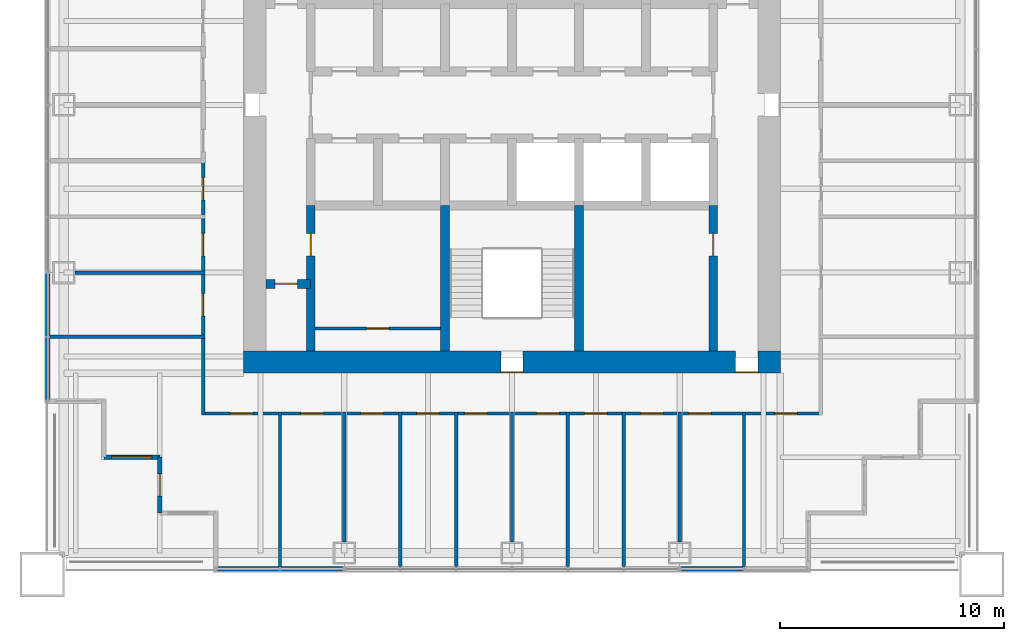
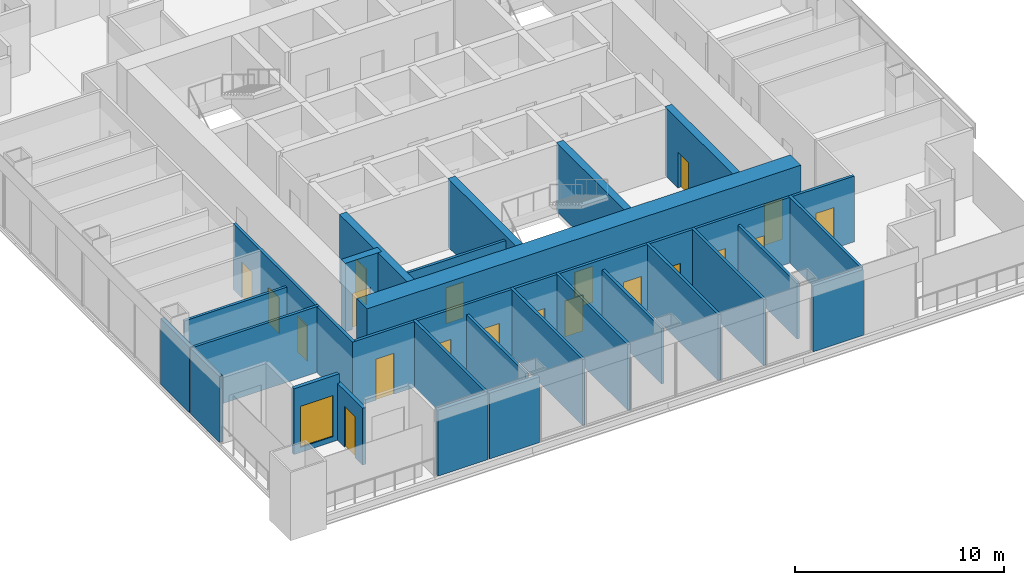
# One storey, part 9 of 14: 27 walls, 20 doors, 1 window, 21 openings.
"""IFC4 building model written with IfcOpenShell, lengths in metres."""

from ifc_helpers import new_model, si_unit, direction, frame, frame_2d, origin, place, context, subcontext, project, spatial, rectangle, extrude, material, layer, layer_set, type_object, element, fill, save


model = new_model("IFC4")

# Units and contexts
model_context = context("Model", 3, precision=1e-05, world=origin(), true_north=direction((0.0, 1.0)))
body_context = subcontext(model_context, "Body", "Model", "MODEL_VIEW")
ifc_project = project(units=[si_unit("LENGTHUNIT", "METRE"), si_unit("AREAUNIT", "SQUARE_METRE"), si_unit("VOLUMEUNIT", "CUBIC_METRE"), si_unit("PLANEANGLEUNIT", "RADIAN"), si_unit("MASSUNIT", "GRAM", prefix="KILO")], contexts=[model_context])

# Site, building, storey
site_placement = place(None, origin())
site = spatial("IfcSite", under=ifc_project, at=site_placement, CompositionType="ELEMENT")
building_placement = place(site_placement, origin())
building = spatial("IfcBuilding", under=site, at=building_placement, Name="Tarangal Relay Tower", CompositionType="ELEMENT")
storey_placement = place(building_placement, frame((0.0, 0.0, 303.89990234375)))
storey = spatial("IfcBuildingStorey", under=building, at=storey_placement, Name="L67", CompositionType="ELEMENT", Elevation=303.89990234375)

# Wall, opening, door
ifc_material_1 = material(Name="Concrete fc' 60 MPa", Category="concrete")
ifc_layer_1 = layer(ifc_material_1, 0.39990234375)
ifc_layer_set_1 = layer_set([ifc_layer_1], Name="Core inner wall 400")
wall_type_1 = type_object("IfcWallType", Name="Core inner wall 400", PredefinedType="SHEAR", material=ifc_layer_set_1)
wall_1_placement = place(storey_placement, frame((-11.0, -8.0, 0.0), z_axis=(0.0, 0.0, 1.0), x_axis=(1.0, 0.0, 0.0)))
wall_1 = element("IfcWall", 1, at=wall_1_placement, inside=storey, type_object=wall_type_1, Name="Core wall YM8 L67", PredefinedType="SHEAR", context=body_context, shape_type="SweptSolid", body=[
    extrude(rectangle(XDim=2.0, YDim=0.39990234375, at=frame_2d((1.0, 0.0))), origin(), (0.0, 0.0, 1.0), 4.0),
])
opening_1_placement = place(wall_1_placement, frame((0.39990234375, 0.0, 0.0)))
opening_1 = element("IfcOpeningElement", 2, at=opening_1_placement, cuts=wall_1, Name="Opening D1", PredefinedType="OPENING", context=body_context, shape_type="SweptSolid", body=[
    extrude(rectangle(XDim=1.0, YDim=2.10009765625, at=frame_2d((0.5, 1.050048828125))), frame((0.0, 0.2099609375, 0.0), z_axis=(0.0, -1.0, 0.0), x_axis=(1.0, 0.0, 0.0)), (0.0, 0.0, 1.0), 0.419921875),
])
ifc_material_2 = material(Name="Hardwood door", Category="wood")
door_type_1 = type_object("IfcDoorType", Name="WC door 1000 x 2100", OperationType="SINGLE_SWING_LEFT", PredefinedType="DOOR", material=ifc_material_2)
door_1_placement = place(opening_1_placement, origin())
door_1 = element("IfcDoor", 3, at=door_1_placement, inside=storey, type_object=door_type_1, Name="Accessible WC door L67", OperationType="SINGLE_SWING_LEFT", OverallHeight=2.10009765625, OverallWidth=1.0, PredefinedType="DOOR", context=body_context, shape_type="SweptSolid", body=[
    extrude(rectangle(XDim=1.0, YDim=2.10009765625, at=frame_2d((0.5, 1.050048828125))), frame((0.0, 0.02490234375, 0.0), z_axis=(0.0, -1.0, 0.0), x_axis=(1.0, 0.0, 0.0)), (0.0, 0.0, 1.0), 0.050048828125),
])
fill(opening_1, door_1)

wall_2_placement = place(storey_placement, frame((-9.0, -11.0, 0.0), z_axis=(0.0, 0.0, 1.0), x_axis=(0.0, 1.0, 0.0)))
wall_2 = element("IfcWall", 4, at=wall_2_placement, inside=storey, type_object=wall_type_1, Name="Core wall XM9W L67", PredefinedType="SHEAR", context=body_context, shape_type="SweptSolid", body=[
    extrude(rectangle(XDim=6.5, YDim=0.39990234375, at=frame_2d((3.25, 0.0))), origin(), (0.0, 0.0, 1.0), 4.0),
])
opening_2_placement = place(wall_2_placement, frame((4.25, 0.0, 0.0)))
opening_2 = element("IfcOpeningElement", 5, at=opening_2_placement, cuts=wall_2, Name="Opening D1", PredefinedType="OPENING", context=body_context, shape_type="SweptSolid", body=[
    extrude(rectangle(XDim=1.0, YDim=2.10009765625, at=frame_2d((0.5, 1.050048828125))), frame((0.0, 0.2099609375, 0.0), z_axis=(0.0, -1.0, 0.0), x_axis=(1.0, 0.0, 0.0)), (0.0, 0.0, 1.0), 0.419921875),
])
door_2_placement = place(opening_2_placement, origin())
door_2 = element("IfcDoor", 6, at=door_2_placement, inside=storey, type_object=door_type_1, Name="Male WC door L67", OperationType="SINGLE_SWING_LEFT", OverallHeight=2.10009765625, OverallWidth=1.0, PredefinedType="DOOR", context=body_context, shape_type="SweptSolid", body=[
    extrude(rectangle(XDim=1.0, YDim=2.10009765625, at=frame_2d((0.5, 1.050048828125))), frame((0.0, 0.02490234375, 0.0), z_axis=(0.0, -1.0, 0.0), x_axis=(1.0, 0.0, 0.0)), (0.0, 0.0, 1.0), 0.050048828125),
])
fill(opening_2, door_2)

wall_3_placement = place(storey_placement, frame((9.0, -11.0, 0.0), z_axis=(0.0, 0.0, 1.0), x_axis=(0.0, 1.0, 0.0)))
wall_3 = element("IfcWall", 7, at=wall_3_placement, inside=storey, type_object=wall_type_1, Name="Core wall X9W L67", PredefinedType="SHEAR", context=body_context, shape_type="SweptSolid", body=[
    extrude(rectangle(XDim=6.5, YDim=0.39990234375, at=frame_2d((3.25, 0.0))), origin(), (0.0, 0.0, 1.0), 4.0),
])
opening_3_placement = place(wall_3_placement, frame((4.25, 0.0, 0.0)))
opening_3 = element("IfcOpeningElement", 8, at=opening_3_placement, cuts=wall_3, Name="Opening D1", PredefinedType="OPENING", context=body_context, shape_type="SweptSolid", body=[
    extrude(rectangle(XDim=1.0, YDim=2.10009765625, at=frame_2d((0.5, 1.050048828125))), frame((0.0, 0.2099609375, 0.0), z_axis=(0.0, -1.0, 0.0), x_axis=(1.0, 0.0, 0.0)), (0.0, 0.0, 1.0), 0.419921875),
])
door_3_placement = place(opening_3_placement, origin())
door_3 = element("IfcDoor", 9, at=door_3_placement, inside=storey, type_object=door_type_1, Name="Female WC door L67", OperationType="SINGLE_SWING_LEFT", OverallHeight=2.10009765625, OverallWidth=1.0, PredefinedType="DOOR", context=body_context, shape_type="SweptSolid", body=[
    extrude(rectangle(XDim=1.0, YDim=2.10009765625, at=frame_2d((0.5, 1.050048828125))), frame((0.0, 0.02490234375, 0.0), z_axis=(0.0, -1.0, 0.0), x_axis=(1.0, 0.0, 0.0)), (0.0, 0.0, 1.0), 0.050048828125),
])
fill(opening_3, door_3)

# Walls
for number, where, z_axis, x_axis, name in (
    (10, (-3.0, -11.0, 0.0), (0.0, 0.0, 1.0), (0.0, 1.0, 0.0), "Core wall XM3W L67"),
    (11, (3.0, -11.0, 0.0), (0.0, 0.0, 1.0), (0.0, 1.0, 0.0), "Core wall X3W L67"),
):
    element("IfcWall", number, at=place(storey_placement, frame(where, z_axis=z_axis, x_axis=x_axis)), inside=storey, type_object=wall_type_1, Name=name, PredefinedType="SHEAR", context=body_context, shape_type="SweptSolid", body=[
        extrude(rectangle(XDim=6.5, YDim=0.39990234375, at=frame_2d((3.25, 0.0))), origin(), (0.0, 0.0, 1.0), 4.0),
    ])

# Wall, openings, doors
ifc_layer_2 = layer(ifc_material_1, 1.0)
ifc_layer_set_2 = layer_set([ifc_layer_2], Name="Core wall 1000")
wall_type_2 = type_object("IfcWallType", Name="Core wall 1000", PredefinedType="SHEAR", material=ifc_layer_set_2)
wall_4_placement = place(storey_placement, frame((12.0, -11.5, 0.0), z_axis=(0.0, 0.0, 1.0), x_axis=(-1.0, 0.0, 0.0)))
wall_4 = element("IfcWall", 12, at=wall_4_placement, inside=storey, type_object=wall_type_2, Name="Core wall S L67", PredefinedType="SHEAR", context=body_context, shape_type="SweptSolid", body=[
    extrude(rectangle(XDim=24.0, YDim=1.0, at=frame_2d((12.0, 0.0))), origin(), (0.0, 0.0, 1.0), 4.0),
])
opening_4_placement = place(wall_4_placement, frame((11.5, 0.0, 0.0)))
opening_4 = element("IfcOpeningElement", 13, at=opening_4_placement, cuts=wall_4, Name="Opening FD1", PredefinedType="OPENING", context=body_context, shape_type="SweptSolid", body=[
    extrude(rectangle(XDim=1.0, YDim=2.10009765625, at=frame_2d((0.5, 1.050048828125))), frame((0.0, 0.510009765625, 0.0), z_axis=(0.0, -1.0, 0.0), x_axis=(1.0, 0.0, 0.0)), (0.0, 0.0, 1.0), 1.02001953125),
])
opening_5_placement = place(wall_4_placement, frame((1.0, 0.0, 0.0)))
opening_5 = element("IfcOpeningElement", 14, at=opening_5_placement, cuts=wall_4, Name="Opening FD3", PredefinedType="OPENING", context=body_context, shape_type="SweptSolid", body=[
    extrude(rectangle(XDim=1.0, YDim=2.39990234375, at=frame_2d((0.5, 1.199951171875))), frame((0.0, 0.510009765625, 0.0), z_axis=(0.0, -1.0, 0.0), x_axis=(1.0, 0.0, 0.0)), (0.0, 0.0, 1.0), 1.02001953125),
])
ifc_material_3 = material(Name="Steel door with hardwood frame", Category="steel")
door_type_2 = type_object("IfcDoorType", Name="Fire door 1000 x 2100", OperationType="SINGLE_SWING_LEFT", PredefinedType="DOOR", material=ifc_material_3)
door_4_placement = place(opening_4_placement, origin())
door_4 = element("IfcDoor", 15, at=door_4_placement, inside=storey, type_object=door_type_2, Name="Stair ST-C door L67", OperationType="SINGLE_SWING_LEFT", OverallHeight=2.10009765625, OverallWidth=1.0, PredefinedType="DOOR", context=body_context, shape_type="SweptSolid", body=[
    extrude(rectangle(XDim=1.0, YDim=2.10009765625, at=frame_2d((0.5, 1.050048828125))), frame((0.0, 0.48486328125, 0.0), z_axis=(0.0, -1.0, 0.0), x_axis=(1.0, 0.0, 0.0)), (0.0, 0.0, 1.0), 0.050048828125),
])
fill(opening_4, door_4)
door_type_3 = type_object("IfcDoorType", Name="Fire door 1000 x 2400 core entry", OperationType="SINGLE_SWING_RIGHT", PredefinedType="DOOR", material=ifc_material_3)
door_5_placement = place(opening_5_placement, origin())
door_5 = element("IfcDoor", 16, at=door_5_placement, inside=storey, type_object=door_type_3, Name="Core entry door south east L67", OperationType="SINGLE_SWING_RIGHT", OverallHeight=2.39990234375, OverallWidth=1.0, PredefinedType="DOOR", context=body_context, shape_type="SweptSolid", body=[
    extrude(rectangle(XDim=1.0, YDim=2.39990234375, at=frame_2d((0.5, 1.199951171875))), frame((0.0, 0.48486328125, 0.0), z_axis=(0.0, -1.0, 0.0), x_axis=(1.0, 0.0, 0.0)), (0.0, 0.0, 1.0), 0.050048828125),
])
fill(opening_5, door_5)

# Wall, opening, door
ifc_material_4 = material(Name="Black metal clad insulated wall", Category="steel")
ifc_layer_3 = layer(ifc_material_4, 0.199951171875)
ifc_layer_set_3 = layer_set([ifc_layer_3], Name="Corner wall metal clad 200")
wall_type_3 = type_object("IfcWallType", Name="Corner wall metal clad 200", PredefinedType="SOLIDWALL", material=ifc_layer_set_3)
wall_5_placement = place(storey_placement, frame((-15.75, -18.25, 0.0), z_axis=(0.0, 0.0, 1.0), x_axis=(0.0, 1.0, 0.0)))
wall_5 = element("IfcWall", 17, at=wall_5_placement, inside=storey, type_object=wall_type_3, Name="Facade wall S facade L67", PredefinedType="SOLIDWALL", context=body_context, shape_type="SweptSolid", body=[
    extrude(rectangle(XDim=2.5, YDim=0.199951171875, at=frame_2d((1.25, 0.0))), origin(), (0.0, 0.0, 1.0), 3.316650390625),
])
opening_6_placement = place(wall_5_placement, frame((0.75, 0.0, 0.0)))
opening_6 = element("IfcOpeningElement", 18, at=opening_6_placement, cuts=wall_5, Name="Opening TD1", PredefinedType="OPENING", context=body_context, shape_type="SweptSolid", body=[
    extrude(rectangle(XDim=1.0, YDim=2.39990234375, at=frame_2d((0.5, 1.199951171875))), frame((0.0, 0.10986328125, 0.0), z_axis=(0.0, -1.0, 0.0), x_axis=(1.0, 0.0, 0.0)), (0.0, 0.0, 1.0), 0.219970703125),
])
ifc_material_5 = material(Name="Aluminium glazed door", Category="aluminium")
door_type_4 = type_object("IfcDoorType", Name="Terrace door 1000 x 2400", OperationType="SINGLE_SWING_RIGHT", PredefinedType="DOOR", material=ifc_material_5)
door_6_placement = place(opening_6_placement, origin())
door_6 = element("IfcDoor", 19, at=door_6_placement, inside=storey, type_object=door_type_4, Name="Terrace door TD1 SW L67", OperationType="SINGLE_SWING_RIGHT", OverallHeight=2.39990234375, OverallWidth=1.0, PredefinedType="DOOR", context=body_context, shape_type="SweptSolid", body=[
    extrude(rectangle(XDim=1.0, YDim=2.39990234375, at=frame_2d((0.5, 1.199951171875))), frame((0.0, 0.02490234375, 0.0), z_axis=(0.0, -1.0, 0.0), x_axis=(1.0, 0.0, 0.0)), (0.0, 0.0, 1.0), 0.050048828125),
])
fill(opening_6, door_6)

# Wall, opening, window
wall_6_placement = place(storey_placement, frame((-15.75, -15.75, 0.0), z_axis=(0.0, 0.0, 1.0), x_axis=(-1.0, 0.0, 0.0)))
wall_6 = element("IfcWall", 20, at=wall_6_placement, inside=storey, type_object=wall_type_3, Name="Facade wall S facade L67", PredefinedType="SOLIDWALL", context=body_context, shape_type="SweptSolid", body=[
    extrude(rectangle(XDim=2.5, YDim=0.199951171875, at=frame_2d((1.25, 0.0))), origin(), (0.0, 0.0, 1.0), 3.85009765625),
])
opening_7_placement = place(wall_6_placement, frame((0.35009765625, 0.0, 0.300048828125)))
opening_7 = element("IfcOpeningElement", 21, at=opening_7_placement, cuts=wall_6, Name="Opening WN2", PredefinedType="OPENING", context=body_context, shape_type="SweptSolid", body=[
    extrude(rectangle(XDim=1.800048828125, YDim=2.39990234375, at=frame_2d((0.89990234375, 1.199951171875))), frame((0.0, 0.10986328125, 0.0), z_axis=(0.0, -1.0, 0.0), x_axis=(1.0, 0.0, 0.0)), (0.0, 0.0, 1.0), 0.219970703125),
])
ifc_material_6 = material(Name="Dark tinted double glazing in black aluminium frame", Category="aluminium")
window_type = type_object("IfcWindowType", Name="Corner window 1800 x 2400", PartitioningType="SINGLE_PANEL", PredefinedType="WINDOW", material=ifc_material_6)
window_placement = place(opening_7_placement, origin())
window = element("IfcWindow", 22, at=window_placement, inside=storey, type_object=window_type, Name="Corner window WN2 S facade L67", OverallHeight=2.39990234375, OverallWidth=1.800048828125, PartitioningType="SINGLE_PANEL", PredefinedType="WINDOW", context=body_context, shape_type="SweptSolid", body=[
    extrude(rectangle(XDim=1.800048828125, YDim=2.39990234375, at=frame_2d((0.89990234375, 1.199951171875))), frame((0.0, 0.030029296875, 0.0), z_axis=(0.0, -1.0, 0.0), x_axis=(1.0, 0.0, 0.0)), (0.0, 0.0, 1.0), 0.06005859375),
])
fill(opening_7, window)

# Walls
ifc_layer_4 = layer(ifc_material_4, 0.199951171875)
ifc_layer_set_4 = layer_set([ifc_layer_4], Name="Facade infill wall metal clad 200")
wall_type_4 = type_object("IfcWallType", Name="Facade infill wall metal clad 200", PredefinedType="SOLIDWALL", material=ifc_layer_set_4)
for number, where, z_axis, x_axis, name in (
    (23, (10.344970703125, -20.75, 0.0), (0.0, 0.0, 1.0), (-1.0, 0.0, 0.0), "Facade infill wall S facade L67 2.1"),
    (24, (-7.56005859375, -20.75, 0.0), (0.0, 0.0, 1.0), (-1.0, 0.0, 0.0), "Facade infill wall S facade L67 1.1"),
    (25, (-10.405029296875, -20.75, 0.0), (0.0, 0.0, 1.0), (-1.0, 0.0, 0.0), "Facade infill wall S facade L67 2.1"),
    (26, (-20.75, -13.18994140625, 0.0), (0.0, 0.0, 1.0), (0.0, 1.0, 0.0), "Facade infill wall W facade L67 1.1"),
    (27, (-20.75, -10.344970703125, 0.0), (0.0, 0.0, 1.0), (0.0, 1.0, 0.0), "Facade infill wall W facade L67 2.1"),
):
    element("IfcWall", number, at=place(storey_placement, frame(where, z_axis=z_axis, x_axis=x_axis)), inside=storey, type_object=wall_type_4, Name=name, PredefinedType="SOLIDWALL", context=body_context, shape_type="SweptSolid", body=[
        extrude(rectangle(XDim=2.784912109375, YDim=0.199951171875, at=frame_2d((1.392578125, 0.0))), origin(), (0.0, 0.0, 1.0), 3.85009765625),
    ])

# Wall, openings, doors
ifc_material_7 = material(Name="Gypsum board on steel studs", Category="steel")
ifc_layer_5 = layer(ifc_material_7, 0.14990234375)
ifc_layer_set_5 = layer_set([ifc_layer_5], Name="Partition 150")
wall_type_5 = type_object("IfcWallType", Name="Partition 150", PredefinedType="PARTITIONING", material=ifc_layer_set_5)
wall_7_placement = place(storey_placement, frame((-13.875, -13.800048828125, 0.0), z_axis=(0.0, 0.0, 1.0), x_axis=(1.0, 0.0, 0.0)))
wall_7 = element("IfcWall", 28, at=wall_7_placement, inside=storey, type_object=wall_type_5, Name="Partition PT1 L67", PredefinedType="PARTITIONING", context=body_context, shape_type="SweptSolid", body=[
    extrude(rectangle(XDim=27.75, YDim=0.14990234375, at=frame_2d((13.875, 0.0))), origin(), (0.0, 0.0, 1.0), 3.85009765625),
])
opening_8_placement = place(wall_7_placement, frame((21.77490234375, 0.0, 0.0)))
opening_8 = element("IfcOpeningElement", 29, at=opening_8_placement, cuts=wall_7, Name="Opening D2", PredefinedType="OPENING", context=body_context, shape_type="SweptSolid", body=[
    extrude(rectangle(XDim=1.0, YDim=2.10009765625, at=frame_2d((0.5, 1.050048828125))), frame((0.0, 0.0849609375, 0.0), z_axis=(0.0, -1.0, 0.0), x_axis=(1.0, 0.0, 0.0)), (0.0, 0.0, 1.0), 0.169921875),
])
opening_9_placement = place(wall_7_placement, frame((19.625, 0.0, 0.0)))
opening_9 = element("IfcOpeningElement", 30, at=opening_9_placement, cuts=wall_7, Name="Opening D2", PredefinedType="OPENING", context=body_context, shape_type="SweptSolid", body=[
    extrude(rectangle(XDim=1.0, YDim=2.10009765625, at=frame_2d((0.5, 1.050048828125))), frame((0.0, 0.0849609375, 0.0), z_axis=(0.0, -1.0, 0.0), x_axis=(1.0, 0.0, 0.0)), (0.0, 0.0, 1.0), 0.169921875),
])
opening_10_placement = place(wall_7_placement, frame((17.125, 0.0, 0.0)))
opening_10 = element("IfcOpeningElement", 31, at=opening_10_placement, cuts=wall_7, Name="Opening D2", PredefinedType="OPENING", context=body_context, shape_type="SweptSolid", body=[
    extrude(rectangle(XDim=1.0, YDim=2.10009765625, at=frame_2d((0.5, 1.050048828125))), frame((0.0, 0.0849609375, 0.0), z_axis=(0.0, -1.0, 0.0), x_axis=(1.0, 0.0, 0.0)), (0.0, 0.0, 1.0), 0.169921875),
])
opening_11_placement = place(wall_7_placement, frame((14.97509765625, 0.0, 0.0)))
opening_11 = element("IfcOpeningElement", 32, at=opening_11_placement, cuts=wall_7, Name="Opening D2", PredefinedType="OPENING", context=body_context, shape_type="SweptSolid", body=[
    extrude(rectangle(XDim=1.0, YDim=2.10009765625, at=frame_2d((0.5, 1.050048828125))), frame((0.0, 0.0849609375, 0.0), z_axis=(0.0, -1.0, 0.0), x_axis=(1.0, 0.0, 0.0)), (0.0, 0.0, 1.0), 0.169921875),
])
opening_12_placement = place(wall_7_placement, frame((11.77490234375, 0.0, 0.0)))
opening_12 = element("IfcOpeningElement", 33, at=opening_12_placement, cuts=wall_7, Name="Opening D2", PredefinedType="OPENING", context=body_context, shape_type="SweptSolid", body=[
    extrude(rectangle(XDim=1.0, YDim=2.10009765625, at=frame_2d((0.5, 1.050048828125))), frame((0.0, 0.0849609375, 0.0), z_axis=(0.0, -1.0, 0.0), x_axis=(1.0, 0.0, 0.0)), (0.0, 0.0, 1.0), 0.169921875),
])
opening_13_placement = place(wall_7_placement, frame((9.625, 0.0, 0.0)))
opening_13 = element("IfcOpeningElement", 34, at=opening_13_placement, cuts=wall_7, Name="Opening D2", PredefinedType="OPENING", context=body_context, shape_type="SweptSolid", body=[
    extrude(rectangle(XDim=1.0, YDim=2.10009765625, at=frame_2d((0.5, 1.050048828125))), frame((0.0, 0.0849609375, 0.0), z_axis=(0.0, -1.0, 0.0), x_axis=(1.0, 0.0, 0.0)), (0.0, 0.0, 1.0), 0.169921875),
])
opening_14_placement = place(wall_7_placement, frame((7.125, 0.0, 0.0)))
opening_14 = element("IfcOpeningElement", 35, at=opening_14_placement, cuts=wall_7, Name="Opening D2", PredefinedType="OPENING", context=body_context, shape_type="SweptSolid", body=[
    extrude(rectangle(XDim=1.0, YDim=2.10009765625, at=frame_2d((0.5, 1.050048828125))), frame((0.0, 0.0849609375, 0.0), z_axis=(0.0, -1.0, 0.0), x_axis=(1.0, 0.0, 0.0)), (0.0, 0.0, 1.0), 0.169921875),
])
opening_15_placement = place(wall_7_placement, frame((4.4375, 0.0, 0.0)))
opening_15 = element("IfcOpeningElement", 36, at=opening_15_placement, cuts=wall_7, Name="Opening D2", PredefinedType="OPENING", context=body_context, shape_type="SweptSolid", body=[
    extrude(rectangle(XDim=1.0, YDim=2.10009765625, at=frame_2d((0.5, 1.050048828125))), frame((0.0, 0.0849609375, 0.0), z_axis=(0.0, -1.0, 0.0), x_axis=(1.0, 0.0, 0.0)), (0.0, 0.0, 1.0), 0.169921875),
])
opening_16_placement = place(wall_7_placement, frame((25.625, 0.0, 0.0)))
opening_16 = element("IfcOpeningElement", 37, at=opening_16_placement, cuts=wall_7, Name="Opening SD1", PredefinedType="OPENING", context=body_context, shape_type="SweptSolid", body=[
    extrude(rectangle(XDim=1.0, YDim=2.39990234375, at=frame_2d((0.5, 1.199951171875))), frame((0.0, 0.0849609375, 0.0), z_axis=(0.0, -1.0, 0.0), x_axis=(1.0, 0.0, 0.0)), (0.0, 0.0, 1.0), 0.169921875),
])
opening_17_placement = place(wall_7_placement, frame((1.28759765625, 0.0, 0.0)))
opening_17 = element("IfcOpeningElement", 38, at=opening_17_placement, cuts=wall_7, Name="Opening SD1", PredefinedType="OPENING", context=body_context, shape_type="SweptSolid", body=[
    extrude(rectangle(XDim=1.0, YDim=2.39990234375, at=frame_2d((0.5, 1.199951171875))), frame((0.0, 0.0849609375, 0.0), z_axis=(0.0, -1.0, 0.0), x_axis=(1.0, 0.0, 0.0)), (0.0, 0.0, 1.0), 0.169921875),
])
door_type_5 = type_object("IfcDoorType", Name="Door 1000 x 2100", OperationType="SINGLE_SWING_LEFT", PredefinedType="DOOR", material=ifc_material_2)
door_7_placement = place(opening_8_placement, origin())
door_7 = element("IfcDoor", 39, at=door_7_placement, inside=storey, type_object=door_type_5, Name="Door D2 to cellular office L67-10", OperationType="SINGLE_SWING_LEFT", OverallHeight=2.10009765625, OverallWidth=1.0, PredefinedType="DOOR", context=body_context, shape_type="SweptSolid", body=[
    extrude(rectangle(XDim=1.0, YDim=2.10009765625, at=frame_2d((0.5, 1.050048828125))), frame((0.0, 0.02490234375, 0.0), z_axis=(0.0, -1.0, 0.0), x_axis=(1.0, 0.0, 0.0)), (0.0, 0.0, 1.0), 0.050048828125),
])
fill(opening_8, door_7)
door_8_placement = place(opening_9_placement, origin())
door_8 = element("IfcDoor", 40, at=door_8_placement, inside=storey, type_object=door_type_5, Name="Door D2 to cellular office L67-11", OperationType="SINGLE_SWING_LEFT", OverallHeight=2.10009765625, OverallWidth=1.0, PredefinedType="DOOR", context=body_context, shape_type="SweptSolid", body=[
    extrude(rectangle(XDim=1.0, YDim=2.10009765625, at=frame_2d((0.5, 1.050048828125))), frame((0.0, 0.02490234375, 0.0), z_axis=(0.0, -1.0, 0.0), x_axis=(1.0, 0.0, 0.0)), (0.0, 0.0, 1.0), 0.050048828125),
])
fill(opening_9, door_8)
door_9_placement = place(opening_10_placement, origin())
door_9 = element("IfcDoor", 41, at=door_9_placement, inside=storey, type_object=door_type_5, Name="Door D2 to print room L67-12", OperationType="SINGLE_SWING_LEFT", OverallHeight=2.10009765625, OverallWidth=1.0, PredefinedType="DOOR", context=body_context, shape_type="SweptSolid", body=[
    extrude(rectangle(XDim=1.0, YDim=2.10009765625, at=frame_2d((0.5, 1.050048828125))), frame((0.0, 0.02490234375, 0.0), z_axis=(0.0, -1.0, 0.0), x_axis=(1.0, 0.0, 0.0)), (0.0, 0.0, 1.0), 0.050048828125),
])
fill(opening_10, door_9)
door_10_placement = place(opening_11_placement, origin())
door_10 = element("IfcDoor", 42, at=door_10_placement, inside=storey, type_object=door_type_5, Name="Door D2 to team room L67-13", OperationType="SINGLE_SWING_LEFT", OverallHeight=2.10009765625, OverallWidth=1.0, PredefinedType="DOOR", context=body_context, shape_type="SweptSolid", body=[
    extrude(rectangle(XDim=1.0, YDim=2.10009765625, at=frame_2d((0.5, 1.050048828125))), frame((0.0, 0.02490234375, 0.0), z_axis=(0.0, -1.0, 0.0), x_axis=(1.0, 0.0, 0.0)), (0.0, 0.0, 1.0), 0.050048828125),
])
fill(opening_11, door_10)
door_11_placement = place(opening_12_placement, origin())
door_11 = element("IfcDoor", 43, at=door_11_placement, inside=storey, type_object=door_type_5, Name="Door D2 to cellular office L67-14", OperationType="SINGLE_SWING_LEFT", OverallHeight=2.10009765625, OverallWidth=1.0, PredefinedType="DOOR", context=body_context, shape_type="SweptSolid", body=[
    extrude(rectangle(XDim=1.0, YDim=2.10009765625, at=frame_2d((0.5, 1.050048828125))), frame((0.0, 0.02490234375, 0.0), z_axis=(0.0, -1.0, 0.0), x_axis=(1.0, 0.0, 0.0)), (0.0, 0.0, 1.0), 0.050048828125),
])
fill(opening_12, door_11)
door_12_placement = place(opening_13_placement, origin())
door_12 = element("IfcDoor", 44, at=door_12_placement, inside=storey, type_object=door_type_5, Name="Door D2 to cellular office L67-15", OperationType="SINGLE_SWING_LEFT", OverallHeight=2.10009765625, OverallWidth=1.0, PredefinedType="DOOR", context=body_context, shape_type="SweptSolid", body=[
    extrude(rectangle(XDim=1.0, YDim=2.10009765625, at=frame_2d((0.5, 1.050048828125))), frame((0.0, 0.02490234375, 0.0), z_axis=(0.0, -1.0, 0.0), x_axis=(1.0, 0.0, 0.0)), (0.0, 0.0, 1.0), 0.050048828125),
])
fill(opening_13, door_12)
door_13_placement = place(opening_14_placement, origin())
door_13 = element("IfcDoor", 45, at=door_13_placement, inside=storey, type_object=door_type_5, Name="Door D2 to cellular office L67-16", OperationType="SINGLE_SWING_LEFT", OverallHeight=2.10009765625, OverallWidth=1.0, PredefinedType="DOOR", context=body_context, shape_type="SweptSolid", body=[
    extrude(rectangle(XDim=1.0, YDim=2.10009765625, at=frame_2d((0.5, 1.050048828125))), frame((0.0, 0.02490234375, 0.0), z_axis=(0.0, -1.0, 0.0), x_axis=(1.0, 0.0, 0.0)), (0.0, 0.0, 1.0), 0.050048828125),
])
fill(opening_14, door_13)
door_14_placement = place(opening_15_placement, origin())
door_14 = element("IfcDoor", 46, at=door_14_placement, inside=storey, type_object=door_type_5, Name="Door D2 to cellular office L67-17", OperationType="SINGLE_SWING_LEFT", OverallHeight=2.10009765625, OverallWidth=1.0, PredefinedType="DOOR", context=body_context, shape_type="SweptSolid", body=[
    extrude(rectangle(XDim=1.0, YDim=2.10009765625, at=frame_2d((0.5, 1.050048828125))), frame((0.0, 0.02490234375, 0.0), z_axis=(0.0, -1.0, 0.0), x_axis=(1.0, 0.0, 0.0)), (0.0, 0.0, 1.0), 0.050048828125),
])
fill(opening_15, door_14)
door_type_6 = type_object("IfcDoorType", Name="Suite entrance door 1000 x 2400", OperationType="SINGLE_SWING_RIGHT", PredefinedType="DOOR", material=ifc_material_3)
door_15_placement = place(opening_16_placement, origin())
door_15 = element("IfcDoor", 47, at=door_15_placement, inside=storey, type_object=door_type_6, Name="Door SD1 to open plan office L67-27", OperationType="SINGLE_SWING_RIGHT", OverallHeight=2.39990234375, OverallWidth=1.0, PredefinedType="DOOR", context=body_context, shape_type="SweptSolid", body=[
    extrude(rectangle(XDim=1.0, YDim=2.39990234375, at=frame_2d((0.5, 1.199951171875))), frame((0.0, 0.02490234375, 0.0), z_axis=(0.0, -1.0, 0.0), x_axis=(1.0, 0.0, 0.0)), (0.0, 0.0, 1.0), 0.050048828125),
])
fill(opening_16, door_15)
door_16_placement = place(opening_17_placement, origin())
door_16 = element("IfcDoor", 48, at=door_16_placement, inside=storey, type_object=door_type_6, Name="Door SD1 to open plan office L67-28", OperationType="SINGLE_SWING_RIGHT", OverallHeight=2.39990234375, OverallWidth=1.0, PredefinedType="DOOR", context=body_context, shape_type="SweptSolid", body=[
    extrude(rectangle(XDim=1.0, YDim=2.39990234375, at=frame_2d((0.5, 1.199951171875))), frame((0.0, 0.02490234375, 0.0), z_axis=(0.0, -1.0, 0.0), x_axis=(1.0, 0.0, 0.0)), (0.0, 0.0, 1.0), 0.050048828125),
])
fill(opening_17, door_16)

# Walls
wall_8_placement = place(storey_placement, frame((-20.64990234375, -10.375, 0.0), z_axis=(0.0, 0.0, 1.0), x_axis=(1.0, 0.0, 0.0)))
element("IfcWall", 49, at=wall_8_placement, inside=storey, type_object=wall_type_5, Name="Partition PT1 L67", PredefinedType="PARTITIONING", context=body_context, shape_type="SweptSolid", body=[
    extrude(rectangle(XDim=6.9248046875, YDim=0.14990234375, at=frame_2d((3.46240234375, 0.0))), origin(), (0.0, 0.0, 1.0), 3.85009765625),
])
wall_9_placement = place(storey_placement, frame((-19.5400390625, -7.5, 0.0), z_axis=(0.0, 0.0, 1.0), x_axis=(1.0, 0.0, 0.0)))
element("IfcWall", 50, at=wall_9_placement, inside=storey, type_object=wall_type_5, Name="Partition PT1 L67", PredefinedType="PARTITIONING", context=body_context, shape_type="SweptSolid", body=[
    extrude(rectangle(XDim=5.81494140625, YDim=0.14990234375, at=frame_2d((2.907470703125, 0.0))), origin(), (0.0, 0.0, 1.0), 3.2431640625),
])

# Wall, openings, doors
wall_10_placement = place(storey_placement, frame((-13.800048828125, -13.875, 0.0), z_axis=(0.0, 0.0, 1.0), x_axis=(0.0, 1.0, 0.0)))
wall_10 = element("IfcWall", 51, at=wall_10_placement, inside=storey, type_object=wall_type_5, Name="Partition PT1 L67", PredefinedType="PARTITIONING", context=body_context, shape_type="SweptSolid", body=[
    extrude(rectangle(XDim=11.449951171875, YDim=0.14990234375, at=frame_2d((5.72509765625, 0.0))), origin(), (0.0, 0.0, 1.0), 3.85009765625),
])
opening_18_placement = place(wall_10_placement, frame((4.4375, 0.0, 0.0)))
opening_18 = element("IfcOpeningElement", 52, at=opening_18_placement, cuts=wall_10, Name="Opening D2", PredefinedType="OPENING", context=body_context, shape_type="SweptSolid", body=[
    extrude(rectangle(XDim=1.0, YDim=2.10009765625, at=frame_2d((0.5, 1.050048828125))), frame((0.0, 0.0849609375, 0.0), z_axis=(0.0, -1.0, 0.0), x_axis=(1.0, 0.0, 0.0)), (0.0, 0.0, 1.0), 0.169921875),
])
opening_19_placement = place(wall_10_placement, frame((7.125, 0.0, 0.0)))
opening_19 = element("IfcOpeningElement", 53, at=opening_19_placement, cuts=wall_10, Name="Opening D2", PredefinedType="OPENING", context=body_context, shape_type="SweptSolid", body=[
    extrude(rectangle(XDim=1.0, YDim=2.10009765625, at=frame_2d((0.5, 1.050048828125))), frame((0.0, 0.0849609375, 0.0), z_axis=(0.0, -1.0, 0.0), x_axis=(1.0, 0.0, 0.0)), (0.0, 0.0, 1.0), 0.169921875),
])
opening_20_placement = place(wall_10_placement, frame((9.625, 0.0, 0.0)))
opening_20 = element("IfcOpeningElement", 54, at=opening_20_placement, cuts=wall_10, Name="Opening D2", PredefinedType="OPENING", context=body_context, shape_type="SweptSolid", body=[
    extrude(rectangle(XDim=1.0, YDim=2.10009765625, at=frame_2d((0.5, 1.050048828125))), frame((0.0, 0.0849609375, 0.0), z_axis=(0.0, -1.0, 0.0), x_axis=(1.0, 0.0, 0.0)), (0.0, 0.0, 1.0), 0.169921875),
])
door_17_placement = place(opening_18_placement, origin())
door_17 = element("IfcDoor", 55, at=door_17_placement, inside=storey, type_object=door_type_5, Name="Door D2 to cellular office L67-18", OperationType="SINGLE_SWING_LEFT", OverallHeight=2.10009765625, OverallWidth=1.0, PredefinedType="DOOR", context=body_context, shape_type="SweptSolid", body=[
    extrude(rectangle(XDim=1.0, YDim=2.10009765625, at=frame_2d((0.5, 1.050048828125))), frame((0.0, 0.02490234375, 0.0), z_axis=(0.0, -1.0, 0.0), x_axis=(1.0, 0.0, 0.0)), (0.0, 0.0, 1.0), 0.050048828125),
])
fill(opening_18, door_17)
door_18_placement = place(opening_19_placement, origin())
door_18 = element("IfcDoor", 56, at=door_18_placement, inside=storey, type_object=door_type_5, Name="Door D2 to cellular office L67-19", OperationType="SINGLE_SWING_LEFT", OverallHeight=2.10009765625, OverallWidth=1.0, PredefinedType="DOOR", context=body_context, shape_type="SweptSolid", body=[
    extrude(rectangle(XDim=1.0, YDim=2.10009765625, at=frame_2d((0.5, 1.050048828125))), frame((0.0, 0.02490234375, 0.0), z_axis=(0.0, -1.0, 0.0), x_axis=(1.0, 0.0, 0.0)), (0.0, 0.0, 1.0), 0.050048828125),
])
fill(opening_19, door_18)
door_19_placement = place(opening_20_placement, origin())
door_19 = element("IfcDoor", 57, at=door_19_placement, inside=storey, type_object=door_type_5, Name="Door D2 to cellular office L67-20", OperationType="SINGLE_SWING_LEFT", OverallHeight=2.10009765625, OverallWidth=1.0, PredefinedType="DOOR", context=body_context, shape_type="SweptSolid", body=[
    extrude(rectangle(XDim=1.0, YDim=2.10009765625, at=frame_2d((0.5, 1.050048828125))), frame((0.0, 0.02490234375, 0.0), z_axis=(0.0, -1.0, 0.0), x_axis=(1.0, 0.0, 0.0)), (0.0, 0.0, 1.0), 0.050048828125),
])
fill(opening_20, door_19)

# Walls
wall_11_placement = place(storey_placement, frame((-10.375, -20.64990234375, 0.0), z_axis=(0.0, 0.0, 1.0), x_axis=(0.0, 1.0, 0.0)))
element("IfcWall", 58, at=wall_11_placement, inside=storey, type_object=wall_type_5, Name="Partition PT1 L67", PredefinedType="PARTITIONING", context=body_context, shape_type="SweptSolid", body=[
    extrude(rectangle(XDim=6.9248046875, YDim=0.14990234375, at=frame_2d((3.46240234375, 0.0))), origin(), (0.0, 0.0, 1.0), 3.85009765625),
])
wall_12_placement = place(storey_placement, frame((-7.5, -19.5400390625, 0.0), z_axis=(0.0, 0.0, 1.0), x_axis=(0.0, 1.0, 0.0)))
element("IfcWall", 59, at=wall_12_placement, inside=storey, type_object=wall_type_5, Name="Partition PT1 L67", PredefinedType="PARTITIONING", context=body_context, shape_type="SweptSolid", body=[
    extrude(rectangle(XDim=5.81494140625, YDim=0.14990234375, at=frame_2d((2.907470703125, 0.0))), origin(), (0.0, 0.0, 1.0), 3.2431640625),
])
for number, where, z_axis, x_axis, name in (
    (60, (-5.0, -20.64990234375, 0.0), (0.0, 0.0, 1.0), (0.0, 1.0, 0.0), "Partition PT1 L67"),
    (61, (-2.5, -20.64990234375, 0.0), (0.0, 0.0, 1.0), (0.0, 1.0, 0.0), "Partition PT1 L67"),
):
    element("IfcWall", number, at=place(storey_placement, frame(where, z_axis=z_axis, x_axis=x_axis)), inside=storey, type_object=wall_type_5, Name=name, PredefinedType="PARTITIONING", context=body_context, shape_type="SweptSolid", body=[
        extrude(rectangle(XDim=6.9248046875, YDim=0.14990234375, at=frame_2d((3.46240234375, 0.0))), origin(), (0.0, 0.0, 1.0), 3.85009765625),
    ])
wall_13_placement = place(storey_placement, frame((0.0, -19.5400390625, 0.0), z_axis=(0.0, 0.0, 1.0), x_axis=(0.0, 1.0, 0.0)))
element("IfcWall", 62, at=wall_13_placement, inside=storey, type_object=wall_type_5, Name="Partition PT1 L67", PredefinedType="PARTITIONING", context=body_context, shape_type="SweptSolid", body=[
    extrude(rectangle(XDim=5.81494140625, YDim=0.14990234375, at=frame_2d((2.907470703125, 0.0))), origin(), (0.0, 0.0, 1.0), 3.2431640625),
])
for number, where, z_axis, x_axis, name in (
    (63, (2.5, -20.64990234375, 0.0), (0.0, 0.0, 1.0), (0.0, 1.0, 0.0), "Partition PT1 L67"),
    (64, (5.0, -20.64990234375, 0.0), (0.0, 0.0, 1.0), (0.0, 1.0, 0.0), "Partition PT1 L67"),
):
    element("IfcWall", number, at=place(storey_placement, frame(where, z_axis=z_axis, x_axis=x_axis)), inside=storey, type_object=wall_type_5, Name=name, PredefinedType="PARTITIONING", context=body_context, shape_type="SweptSolid", body=[
        extrude(rectangle(XDim=6.9248046875, YDim=0.14990234375, at=frame_2d((3.46240234375, 0.0))), origin(), (0.0, 0.0, 1.0), 3.85009765625),
    ])
wall_14_placement = place(storey_placement, frame((7.5, -19.5400390625, 0.0), z_axis=(0.0, 0.0, 1.0), x_axis=(0.0, 1.0, 0.0)))
element("IfcWall", 65, at=wall_14_placement, inside=storey, type_object=wall_type_5, Name="Partition PT1 L67", PredefinedType="PARTITIONING", context=body_context, shape_type="SweptSolid", body=[
    extrude(rectangle(XDim=5.81494140625, YDim=0.14990234375, at=frame_2d((2.907470703125, 0.0))), origin(), (0.0, 0.0, 1.0), 3.2431640625),
])
wall_15_placement = place(storey_placement, frame((10.375, -20.64990234375, 0.0), z_axis=(0.0, 0.0, 1.0), x_axis=(0.0, 1.0, 0.0)))
element("IfcWall", 66, at=wall_15_placement, inside=storey, type_object=wall_type_5, Name="Partition PT1 L67", PredefinedType="PARTITIONING", context=body_context, shape_type="SweptSolid", body=[
    extrude(rectangle(XDim=6.9248046875, YDim=0.14990234375, at=frame_2d((3.46240234375, 0.0))), origin(), (0.0, 0.0, 1.0), 3.85009765625),
])

# Wall, opening, door
wall_16_placement = place(storey_placement, frame((-8.800048828125, -10.0, 0.0), z_axis=(0.0, 0.0, 1.0), x_axis=(1.0, 0.0, 0.0)))
wall_16 = element("IfcWall", 67, at=wall_16_placement, inside=storey, type_object=wall_type_5, Name="Partition PT1 L67", PredefinedType="PARTITIONING", context=body_context, shape_type="SweptSolid", body=[
    extrude(rectangle(XDim=5.60009765625, YDim=0.14990234375, at=frame_2d((2.800048828125, 0.0))), origin(), (0.0, 0.0, 1.0), 3.75),
])
opening_21_placement = place(wall_16_placement, frame((2.300048828125, 0.0, 0.0)))
opening_21 = element("IfcOpeningElement", 68, at=opening_21_placement, cuts=wall_16, Name="Opening D1", PredefinedType="OPENING", context=body_context, shape_type="SweptSolid", body=[
    extrude(rectangle(XDim=1.0, YDim=2.10009765625, at=frame_2d((0.5, 1.050048828125))), frame((0.0, 0.0849609375, 0.0), z_axis=(0.0, -1.0, 0.0), x_axis=(1.0, 0.0, 0.0)), (0.0, 0.0, 1.0), 0.169921875),
])
door_20_placement = place(opening_21_placement, origin())
door_20 = element("IfcDoor", 69, at=door_20_placement, inside=storey, type_object=door_type_1, Name="Door D1 to male shower room L67-C7B", OperationType="SINGLE_SWING_LEFT", OverallHeight=2.10009765625, OverallWidth=1.0, PredefinedType="DOOR", context=body_context, shape_type="SweptSolid", body=[
    extrude(rectangle(XDim=1.0, YDim=2.10009765625, at=frame_2d((0.5, 1.050048828125))), frame((0.0, 0.02490234375, 0.0), z_axis=(0.0, -1.0, 0.0), x_axis=(1.0, 0.0, 0.0)), (0.0, 0.0, 1.0), 0.050048828125),
])
fill(opening_21, door_20)

save(model, "model.ifc")
